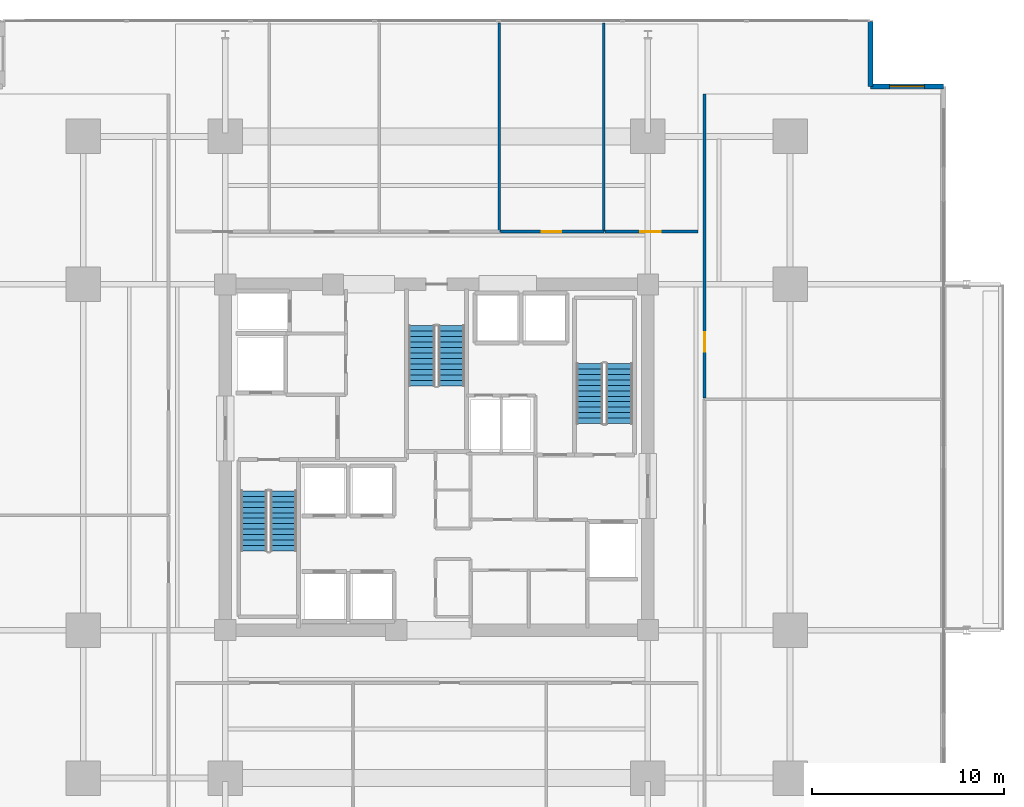
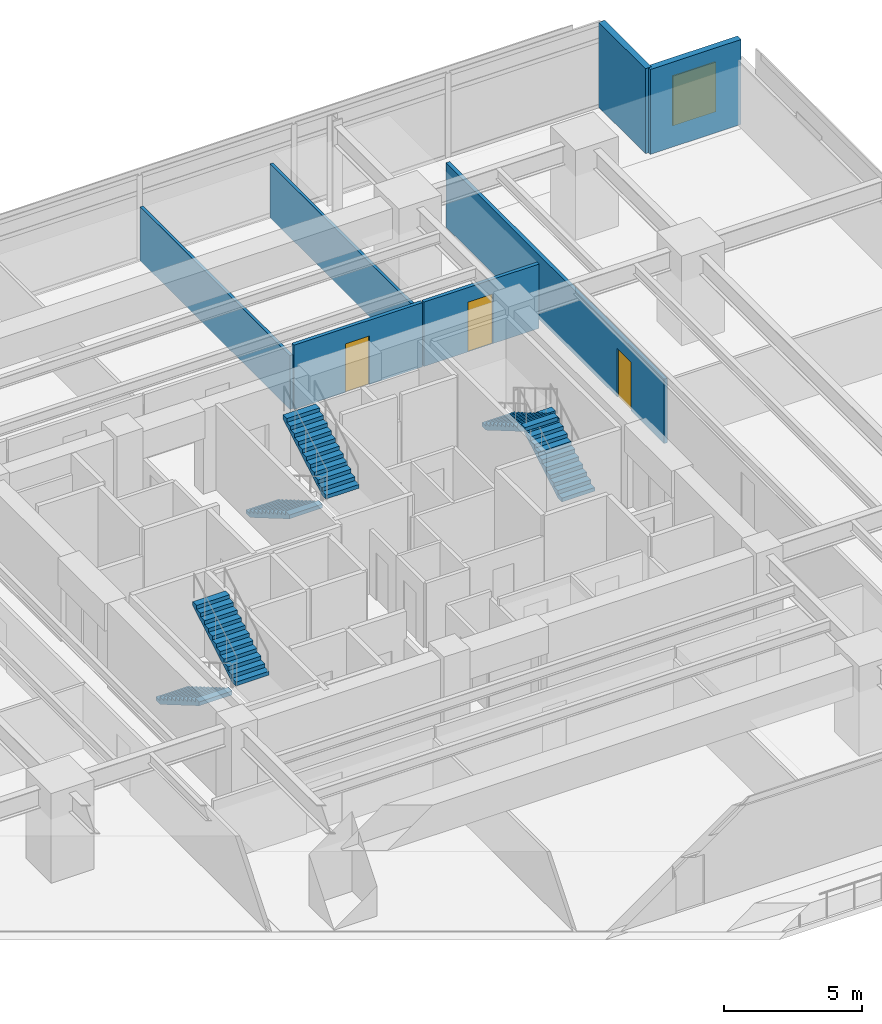
# One storey, part 19 of 24: 7 walls, 6 stair flights, 3 doors, 1 window, 4 openings, 3 elements without a shape of their own.
"""IFC4 building model written with IfcOpenShell, lengths in metres."""

from ifc_helpers import new_model, si_unit, direction, frame, frame_2d, origin, place, context, subcontext, project, spatial, polyline, rectangle, outline, extrude, material, layer, layer_set, type_object, element, fill, aggregate, save


model = new_model("IFC4")

# Units and contexts
model_context = context("Model", 3, precision=1e-05, world=origin(), true_north=direction((0.0, 1.0)))
body_context = subcontext(model_context, "Body", "Model", "MODEL_VIEW")
ifc_project = project(units=[si_unit("LENGTHUNIT", "METRE"), si_unit("AREAUNIT", "SQUARE_METRE"), si_unit("VOLUMEUNIT", "CUBIC_METRE"), si_unit("PLANEANGLEUNIT", "RADIAN"), si_unit("MASSUNIT", "GRAM", prefix="KILO")], contexts=[model_context])

# Site, building, storey
site_placement = place(None, origin())
site = spatial("IfcSite", under=ifc_project, at=site_placement, CompositionType="ELEMENT")
building_placement = place(site_placement, origin())
building = spatial("IfcBuilding", under=site, at=building_placement, Name="Kovane Verandah Tower", CompositionType="ELEMENT")
storey_placement = place(building_placement, frame((0.0, 0.0, 95.60009765625)))
storey = spatial("IfcBuildingStorey", under=building, at=storey_placement, Name="L22", CompositionType="ELEMENT", Elevation=95.60009765625)

# Wall, opening, door
ifc_material_1 = material(Name="Fire-Rated Gypsum Stud Partition", Category="gypsum")
ifc_layer_1 = layer(ifc_material_1, 0.14990234375)
ifc_layer_set_1 = layer_set([ifc_layer_1], Name="Fire-Rated Gypsum Stud Partition")
wall_type_1 = type_object("IfcWallType", Name="WL-COR-150", PredefinedType="PARTITIONING", material=ifc_layer_set_1)
wall_1_placement = place(storey_placement, frame((43.333984375, 39.25, 0.0), z_axis=(0.0, 0.0, 1.0), x_axis=(1.0, 0.0, 0.0)))
wall_1 = element("IfcWall", 1, at=wall_1_placement, inside=storey, type_object=wall_type_1, Name="L22 Open Plan Office N4 Corridor Partition", PredefinedType="PARTITIONING", context=body_context, shape_type="SweptSolid", body=[
    extrude(rectangle(XDim=5.3701171875, YDim=0.14990234375, at=frame_2d((2.68505859375, 0.0))), origin(), (0.0, 0.0, 1.0), 2.849853515625),
])
opening_1_placement = place(wall_1_placement, frame((2.14990234375, 0.0, 0.0)))
opening_1 = element("IfcOpeningElement", 2, at=opening_1_placement, cuts=wall_1, Name="Opening DR-L22-022", PredefinedType="OPENING", context=body_context, shape_type="SweptSolid", body=[
    extrude(rectangle(XDim=1.0, YDim=2.14990234375, at=frame_2d((0.5, 1.074951171875))), frame((0.0, 0.074951171875, 0.0), z_axis=(0.0, -1.0, 0.0), x_axis=(1.0, 0.0, 0.0)), (0.0, 0.0, 1.0), 0.14990234375),
])
ifc_material_2 = material(Name="FSC Spotted-Gum Timber Fire-Rated Office Door", Category="wood")
door_type_1 = type_object("IfcDoorType", Name="DR-OFF-1000", OperationType="SINGLE_SWING_LEFT", PredefinedType="DOOR", material=ifc_material_2)
door_1_placement = place(opening_1_placement, origin())
door_1 = element("IfcDoor", 3, at=door_1_placement, inside=storey, type_object=door_type_1, Name="L22 Open Plan Office N4 Entrance Door", OperationType="SINGLE_SWING_LEFT", OverallHeight=2.14990234375, OverallWidth=1.0, PredefinedType="DOOR", context=body_context, shape_type="SweptSolid", body=[
    extrude(rectangle(XDim=1.0, YDim=2.14990234375, at=frame_2d((0.5, 1.074951171875))), frame((0.0, 0.02490234375, 0.0), z_axis=(0.0, -1.0, 0.0), x_axis=(1.0, 0.0, 0.0)), (0.0, 0.0, 1.0), 0.050048828125),
])
fill(opening_1, door_1)

wall_2_placement = place(storey_placement, frame((48.77392578125, 39.25, 0.0), z_axis=(0.0, 0.0, 1.0), x_axis=(1.0, 0.0, 0.0)))
wall_2 = element("IfcWall", 4, at=wall_2_placement, inside=storey, type_object=wall_type_1, Name="L22 Executive Office N5 Corridor Partition", PredefinedType="PARTITIONING", context=body_context, shape_type="SweptSolid", body=[
    extrude(rectangle(XDim=4.826171875, YDim=0.14990234375, at=frame_2d((2.4130859375, 0.0))), origin(), (0.0, 0.0, 1.0), 2.849853515625),
])
opening_2_placement = place(wall_2_placement, frame((1.837890625, 0.0, 0.0)))
opening_2 = element("IfcOpeningElement", 5, at=opening_2_placement, cuts=wall_2, Name="Opening DR-L22-023", PredefinedType="OPENING", context=body_context, shape_type="SweptSolid", body=[
    extrude(rectangle(XDim=1.050048828125, YDim=2.199951171875, at=frame_2d((0.52490234375, 1.10009765625))), frame((0.0, 0.074951171875, 0.0), z_axis=(0.0, -1.0, 0.0), x_axis=(1.0, 0.0, 0.0)), (0.0, 0.0, 1.0), 0.14990234375),
])
ifc_material_3 = material(Name="FSC Blackbutt Timber Fire-Rated Executive Door", Category="wood")
door_type_2 = type_object("IfcDoorType", Name="DR-EXEC-1050", OperationType="SINGLE_SWING_LEFT", PredefinedType="DOOR", material=ifc_material_3)
door_2_placement = place(opening_2_placement, origin())
door_2 = element("IfcDoor", 6, at=door_2_placement, inside=storey, type_object=door_type_2, Name="L22 Executive Office N5 Entrance Door", OperationType="SINGLE_SWING_RIGHT", OverallHeight=2.199951171875, OverallWidth=1.050048828125, PredefinedType="DOOR", context=body_context, shape_type="SweptSolid", body=[
    extrude(rectangle(XDim=1.050048828125, YDim=2.199951171875, at=frame_2d((0.52490234375, 1.10009765625))), frame((0.0, 0.02490234375, 0.0), z_axis=(0.0, -1.0, 0.0), x_axis=(1.0, 0.0, 0.0)), (0.0, 0.0, 1.0), 0.050048828125),
])
fill(opening_2, door_2)

wall_3_placement = place(storey_placement, frame((53.949951171875, 30.595703125, 0.0), z_axis=(0.0, 0.0, 1.0), x_axis=(0.0, 1.0, 0.0)))
wall_3 = element("IfcWall", 7, at=wall_3_placement, inside=storey, type_object=wall_type_1, Name="L22 Open Plan Office E2 Corridor Partition", PredefinedType="PARTITIONING", context=body_context, shape_type="SweptSolid", body=[
    extrude(rectangle(XDim=15.815185546875, YDim=0.14990234375, at=frame_2d((7.90771484375, 0.0))), origin(), (0.0, 0.0, 1.0), 2.849853515625),
])
opening_3_placement = place(wall_3_placement, frame((2.402099609375, 0.0, 0.0)))
opening_3 = element("IfcOpeningElement", 8, at=opening_3_placement, cuts=wall_3, Name="Opening DR-L22-013", PredefinedType="OPENING", context=body_context, shape_type="SweptSolid", body=[
    extrude(rectangle(XDim=1.0, YDim=2.14990234375, at=frame_2d((0.5, 1.074951171875))), frame((0.0, 0.074951171875, 0.0), z_axis=(0.0, -1.0, 0.0), x_axis=(1.0, 0.0, 0.0)), (0.0, 0.0, 1.0), 0.14990234375),
])
door_3_placement = place(opening_3_placement, origin())
door_3 = element("IfcDoor", 9, at=door_3_placement, inside=storey, type_object=door_type_1, Name="L22 Open Plan Office E2 Entrance Door", OperationType="SINGLE_SWING_LEFT", OverallHeight=2.14990234375, OverallWidth=1.0, PredefinedType="DOOR", context=body_context, shape_type="SweptSolid", body=[
    extrude(rectangle(XDim=1.0, YDim=2.14990234375, at=frame_2d((0.5, 1.074951171875))), frame((0.0, 0.02490234375, 0.0), z_axis=(0.0, -1.0, 0.0), x_axis=(1.0, 0.0, 0.0)), (0.0, 0.0, 1.0), 0.050048828125),
])
fill(opening_3, door_3)

# Walls
ifc_material_4 = material(Name="Acoustic Fire-Rated Gypsum Partition", Category="gypsum")
ifc_layer_2 = layer(ifc_material_4, 0.1201171875)
ifc_layer_set_2 = layer_set([ifc_layer_2], Name="Acoustic Fire-Rated Gypsum Partition")
wall_type_2 = type_object("IfcWallType", Name="WL-PART-120", PredefinedType="PARTITIONING", material=ifc_layer_set_2)
for number, where, z_axis, x_axis, name in (
    (10, (43.263916015625, 39.25, 0.0), (0.0, 0.0, 1.0), (0.0, 1.0, 0.0), "L22 Document and Print Room N3 Dividing Partition"),
    (11, (48.7041015625, 39.25, 0.0), (0.0, 0.0, 1.0), (0.0, 1.0, 0.0), "L22 Open Plan Office N4 Dividing Partition"),
):
    element("IfcWall", number, at=place(storey_placement, frame(where, z_axis=z_axis, x_axis=x_axis)), inside=storey, type_object=wall_type_2, Name=name, PredefinedType="PARTITIONING", context=body_context, shape_type="SweptSolid", body=[
        extrude(rectangle(XDim=10.86083984375, YDim=0.1201171875, at=frame_2d((5.430419921875, 0.0))), origin(), (0.0, 0.0, 1.0), 2.389892578125),
    ])

# Wall, opening, window
ifc_material_5 = material(Name="Concrete C45/55 Insulated Spandrel Wall", Category="concrete")
ifc_layer_3 = layer(ifc_material_5, 0.260009765625)
ifc_layer_set_3 = layer_set([ifc_layer_3], Name="Concrete C45/55 Insulated Spandrel Wall")
wall_type_3 = type_object("IfcWallType", Name="WL-SPANDREL-260", PredefinedType="PARAPET", material=ifc_layer_set_3)
wall_4_placement = place(storey_placement, frame((66.386962890625, 46.810791015625, 0.0), z_axis=(0.0, 0.0, 1.0), x_axis=(-1.0, 0.0, 0.0)))
wall_4 = element("IfcWall", 12, at=wall_4_placement, inside=storey, type_object=wall_type_3, Name="L22 NE Notch Cheek Wall 1", PredefinedType="PARAPET", context=body_context, shape_type="SweptSolid", body=[
    extrude(rectangle(XDim=3.800048828125, YDim=0.260009765625, at=frame_2d((1.89990234375, 0.0))), origin(), (0.0, 0.0, 1.0), 3.760009765625),
])
opening_4_placement = place(wall_4_placement, frame((1.0, 0.0, 0.85009765625)))
opening_4 = element("IfcOpeningElement", 13, at=opening_4_placement, cuts=wall_4, Name="Opening W-03", PredefinedType="OPENING", context=body_context, shape_type="SweptSolid", body=[
    extrude(rectangle(XDim=1.800048828125, YDim=2.199951171875, at=frame_2d((0.89990234375, 1.10009765625))), frame((0.0, 0.1298828125, 0.0), z_axis=(0.0, -1.0, 0.0), x_axis=(1.0, 0.0, 0.0)), (0.0, 0.0, 1.0), 0.260009765625),
])
ifc_material_6 = material(Name="Clear Low-E Laminated Double Glazing in Anodised Frame", Category="glass")
window_type = type_object("IfcWindowType", Name="WN-NOTCH-1800x2200", PartitioningType="SINGLE_PANEL", PredefinedType="WINDOW", material=ifc_material_6)
window_placement = place(opening_4_placement, origin())
window = element("IfcWindow", 14, at=window_placement, inside=storey, type_object=window_type, Name="L22 NE Re-Entrant Corner Operable Window", OverallHeight=2.199951171875, OverallWidth=1.800048828125, PartitioningType="SINGLE_PANEL", PredefinedType="WINDOW", context=body_context, shape_type="SweptSolid", body=[
    extrude(rectangle(XDim=1.800048828125, YDim=2.199951171875, at=frame_2d((0.89990234375, 1.10009765625))), frame((0.0, 0.030029296875, 0.0), z_axis=(0.0, -1.0, 0.0), x_axis=(1.0, 0.0, 0.0)), (0.0, 0.0, 1.0), 0.06005859375),
])
fill(opening_4, window)

# Wall
wall_5_placement = place(storey_placement, frame((62.5869140625, 46.810791015625, 0.0), z_axis=(0.0, 0.0, 1.0), x_axis=(0.0, 1.0, 0.0)))
element("IfcWall", 15, at=wall_5_placement, inside=storey, type_object=wall_type_3, Name="L22 NE Notch Cheek Wall 2", PredefinedType="PARAPET", context=body_context, shape_type="SweptSolid", body=[
    extrude(rectangle(XDim=3.400146484375, YDim=0.260009765625, at=frame_2d((1.7001953125, 0.0))), origin(), (0.0, 0.0, 1.0), 3.760009765625),
])

# Stair, stair flights
ifc_material_7 = material(Name="Concrete C45/55", Category="concrete")
stair_type = type_object("IfcStairType", Name="ST-CORE-1380", PredefinedType="HALF_TURN_STAIR", material=ifc_material_7)
stair_1_placement = place(storey_placement, origin())
stair_1 = element("IfcStair", 16, at=stair_1_placement, inside=storey, type_object=stair_type, Name="L22 Exit Stair ST-01", PredefinedType="HALF_TURN_STAIR")
stair_flight_type = type_object("IfcStairFlightType", Name="STF-CORE-1380", PredefinedType="STRAIGHT", material=ifc_material_7)
stair_flight_1_placement = place(storey_placement, frame((30.489990234375, 25.75, 0.0), z_axis=(0.0, 0.0, 1.0), x_axis=(0.0, -1.0, 0.0)))
stair_flight_1 = element("IfcStairFlight", 17, at=stair_flight_1_placement, type_object=stair_flight_type, Name="ST-01 flight 1", NumberOfRisers=12, NumberOfTreads=11, PredefinedType="STRAIGHT", RiserHeight=0.166666667, TreadLength=0.285, context=body_context, shape_type="SweptSolid", body=[
    extrude(outline(polyline([(0.0, 0.0), (0.0, 0.166748046875), (0.284912109375, 0.166748046875), (0.284912109375, 0.333251953125), (0.570068359375, 0.333251953125), (0.570068359375, 0.5), (0.85498046875, 0.5), (0.85498046875, 0.666748046875), (1.139892578125, 0.666748046875), (1.139892578125, 0.833251953125), (1.425048828125, 0.833251953125), (1.425048828125, 1.0), (1.7099609375, 1.0), (1.7099609375, 1.166748046875), (1.9951171875, 1.166748046875), (1.9951171875, 1.333251953125), (2.280029296875, 1.333251953125), (2.280029296875, 1.5), (2.56494140625, 1.5), (2.56494140625, 1.666748046875), (2.85009765625, 1.666748046875), (2.85009765625, 1.833251953125), (3.135009765625, 1.833251953125), (3.135009765625, 2.0), (3.135009765625, 1.65966796875), (0.296875, 0.0), (0.0, 0.0)])), frame((0.0, 0.68994140625, 0.0), z_axis=(0.0, -1.0, 0.0), x_axis=(1.0, 0.0, 0.0)), (0.0, 0.0, 1.0), 1.3798828125),
])
stair_flight_2_placement = place(storey_placement, frame((32.030029296875, 22.614990234375, 2.0), z_axis=(0.0, 0.0, 1.0), x_axis=(0.0, 1.0, 0.0)))
stair_flight_2 = element("IfcStairFlight", 18, at=stair_flight_2_placement, type_object=stair_flight_type, Name="ST-01 flight 2", NumberOfRisers=12, NumberOfTreads=11, PredefinedType="STRAIGHT", RiserHeight=0.166666667, TreadLength=0.285, context=body_context, shape_type="SweptSolid", body=[
    extrude(outline(polyline([(0.0, 0.0), (0.0, 0.166748046875), (0.284912109375, 0.166748046875), (0.284912109375, 0.333251953125), (0.570068359375, 0.333251953125), (0.570068359375, 0.5), (0.85498046875, 0.5), (0.85498046875, 0.666748046875), (1.139892578125, 0.666748046875), (1.139892578125, 0.833251953125), (1.425048828125, 0.833251953125), (1.425048828125, 1.0), (1.7099609375, 1.0), (1.7099609375, 1.166748046875), (1.9951171875, 1.166748046875), (1.9951171875, 1.333251953125), (2.280029296875, 1.333251953125), (2.280029296875, 1.5), (2.56494140625, 1.5), (2.56494140625, 1.666748046875), (2.85009765625, 1.666748046875), (2.85009765625, 1.833251953125), (3.135009765625, 1.833251953125), (3.135009765625, 2.0), (3.135009765625, 1.65966796875), (0.296875, 0.0), (0.0, 0.0)])), frame((0.0, 0.68994140625, 0.0), z_axis=(0.0, -1.0, 0.0), x_axis=(1.0, 0.0, 0.0)), (0.0, 0.0, 1.0), 1.3798828125),
])
aggregate(stair_1, [stair_flight_1, stair_flight_2])

stair_2_placement = place(storey_placement, origin())
stair_2 = element("IfcStair", 19, at=stair_2_placement, inside=storey, type_object=stair_type, Name="L22 Exit Stair ST-02", PredefinedType="HALF_TURN_STAIR")
stair_flight_3_placement = place(storey_placement, frame((49.510009765625, 29.25, 0.0), z_axis=(0.0, 0.0, 1.0), x_axis=(0.0, 1.0, 0.0)))
stair_flight_3 = element("IfcStairFlight", 20, at=stair_flight_3_placement, type_object=stair_flight_type, Name="ST-02 flight 1", NumberOfRisers=12, NumberOfTreads=11, PredefinedType="STRAIGHT", RiserHeight=0.166666667, TreadLength=0.285, context=body_context, shape_type="SweptSolid", body=[
    extrude(outline(polyline([(0.0, 0.0), (0.0, 0.166748046875), (0.284912109375, 0.166748046875), (0.284912109375, 0.333251953125), (0.570068359375, 0.333251953125), (0.570068359375, 0.5), (0.85498046875, 0.5), (0.85498046875, 0.666748046875), (1.139892578125, 0.666748046875), (1.139892578125, 0.833251953125), (1.425048828125, 0.833251953125), (1.425048828125, 1.0), (1.7099609375, 1.0), (1.7099609375, 1.166748046875), (1.9951171875, 1.166748046875), (1.9951171875, 1.333251953125), (2.280029296875, 1.333251953125), (2.280029296875, 1.5), (2.56494140625, 1.5), (2.56494140625, 1.666748046875), (2.85009765625, 1.666748046875), (2.85009765625, 1.833251953125), (3.135009765625, 1.833251953125), (3.135009765625, 2.0), (3.135009765625, 1.65966796875), (0.296875, 0.0), (0.0, 0.0)])), frame((0.0, 0.68994140625, 0.0), z_axis=(0.0, -1.0, 0.0), x_axis=(1.0, 0.0, 0.0)), (0.0, 0.0, 1.0), 1.3798828125),
])
stair_flight_4_placement = place(storey_placement, frame((47.969970703125, 32.385009765625, 2.0), z_axis=(0.0, 0.0, 1.0), x_axis=(0.0, -1.0, 0.0)))
stair_flight_4 = element("IfcStairFlight", 21, at=stair_flight_4_placement, type_object=stair_flight_type, Name="ST-02 flight 2", NumberOfRisers=12, NumberOfTreads=11, PredefinedType="STRAIGHT", RiserHeight=0.166666667, TreadLength=0.285, context=body_context, shape_type="SweptSolid", body=[
    extrude(outline(polyline([(0.0, 0.0), (0.0, 0.166748046875), (0.284912109375, 0.166748046875), (0.284912109375, 0.333251953125), (0.570068359375, 0.333251953125), (0.570068359375, 0.5), (0.85498046875, 0.5), (0.85498046875, 0.666748046875), (1.139892578125, 0.666748046875), (1.139892578125, 0.833251953125), (1.425048828125, 0.833251953125), (1.425048828125, 1.0), (1.7099609375, 1.0), (1.7099609375, 1.166748046875), (1.9951171875, 1.166748046875), (1.9951171875, 1.333251953125), (2.280029296875, 1.333251953125), (2.280029296875, 1.5), (2.56494140625, 1.5), (2.56494140625, 1.666748046875), (2.85009765625, 1.666748046875), (2.85009765625, 1.833251953125), (3.135009765625, 1.833251953125), (3.135009765625, 2.0), (3.135009765625, 1.65966796875), (0.296875, 0.0), (0.0, 0.0)])), frame((0.0, 0.68994140625, 0.0), z_axis=(0.0, -1.0, 0.0), x_axis=(1.0, 0.0, 0.0)), (0.0, 0.0, 1.0), 1.3798828125),
])
aggregate(stair_2, [stair_flight_3, stair_flight_4])

stair_3_placement = place(storey_placement, origin())
stair_3 = element("IfcStair", 22, at=stair_3_placement, inside=storey, type_object=stair_type, Name="L22 Exit Stair ST-03", PredefinedType="HALF_TURN_STAIR")
stair_flight_5_placement = place(storey_placement, frame((39.22998046875, 34.35009765625, 0.0), z_axis=(0.0, 0.0, 1.0), x_axis=(0.0, -1.0, 0.0)))
stair_flight_5 = element("IfcStairFlight", 23, at=stair_flight_5_placement, type_object=stair_flight_type, Name="ST-03 flight 1", NumberOfRisers=12, NumberOfTreads=11, PredefinedType="STRAIGHT", RiserHeight=0.166666667, TreadLength=0.285, context=body_context, shape_type="SweptSolid", body=[
    extrude(outline(polyline([(0.0, 0.0), (0.0, 0.166748046875), (0.284912109375, 0.166748046875), (0.284912109375, 0.333251953125), (0.570068359375, 0.333251953125), (0.570068359375, 0.5), (0.85498046875, 0.5), (0.85498046875, 0.666748046875), (1.139892578125, 0.666748046875), (1.139892578125, 0.833251953125), (1.425048828125, 0.833251953125), (1.425048828125, 1.0), (1.7099609375, 1.0), (1.7099609375, 1.166748046875), (1.9951171875, 1.166748046875), (1.9951171875, 1.333251953125), (2.280029296875, 1.333251953125), (2.280029296875, 1.5), (2.56494140625, 1.5), (2.56494140625, 1.666748046875), (2.85009765625, 1.666748046875), (2.85009765625, 1.833251953125), (3.135009765625, 1.833251953125), (3.135009765625, 2.0), (3.135009765625, 1.65966796875), (0.296875, 0.0), (0.0, 0.0)])), frame((0.0, 0.68994140625, 0.0), z_axis=(0.0, -1.0, 0.0), x_axis=(1.0, 0.0, 0.0)), (0.0, 0.0, 1.0), 1.3798828125),
])
stair_flight_6_placement = place(storey_placement, frame((40.77001953125, 31.215087890625, 2.0), z_axis=(0.0, 0.0, 1.0), x_axis=(0.0, 1.0, 0.0)))
stair_flight_6 = element("IfcStairFlight", 24, at=stair_flight_6_placement, type_object=stair_flight_type, Name="ST-03 flight 2", NumberOfRisers=12, NumberOfTreads=11, PredefinedType="STRAIGHT", RiserHeight=0.166666667, TreadLength=0.285, context=body_context, shape_type="SweptSolid", body=[
    extrude(outline(polyline([(0.0, 0.0), (0.0, 0.166748046875), (0.284912109375, 0.166748046875), (0.284912109375, 0.333251953125), (0.570068359375, 0.333251953125), (0.570068359375, 0.5), (0.85498046875, 0.5), (0.85498046875, 0.666748046875), (1.139892578125, 0.666748046875), (1.139892578125, 0.833251953125), (1.425048828125, 0.833251953125), (1.425048828125, 1.0), (1.7099609375, 1.0), (1.7099609375, 1.166748046875), (1.9951171875, 1.166748046875), (1.9951171875, 1.333251953125), (2.280029296875, 1.333251953125), (2.280029296875, 1.5), (2.56494140625, 1.5), (2.56494140625, 1.666748046875), (2.85009765625, 1.666748046875), (2.85009765625, 1.833251953125), (3.135009765625, 1.833251953125), (3.135009765625, 2.0), (3.135009765625, 1.65966796875), (0.296875, 0.0), (0.0, 0.0)])), frame((0.0, 0.68994140625, 0.0), z_axis=(0.0, -1.0, 0.0), x_axis=(1.0, 0.0, 0.0)), (0.0, 0.0, 1.0), 1.3798828125),
])
aggregate(stair_3, [stair_flight_5, stair_flight_6])

save(model, "model.ifc")
